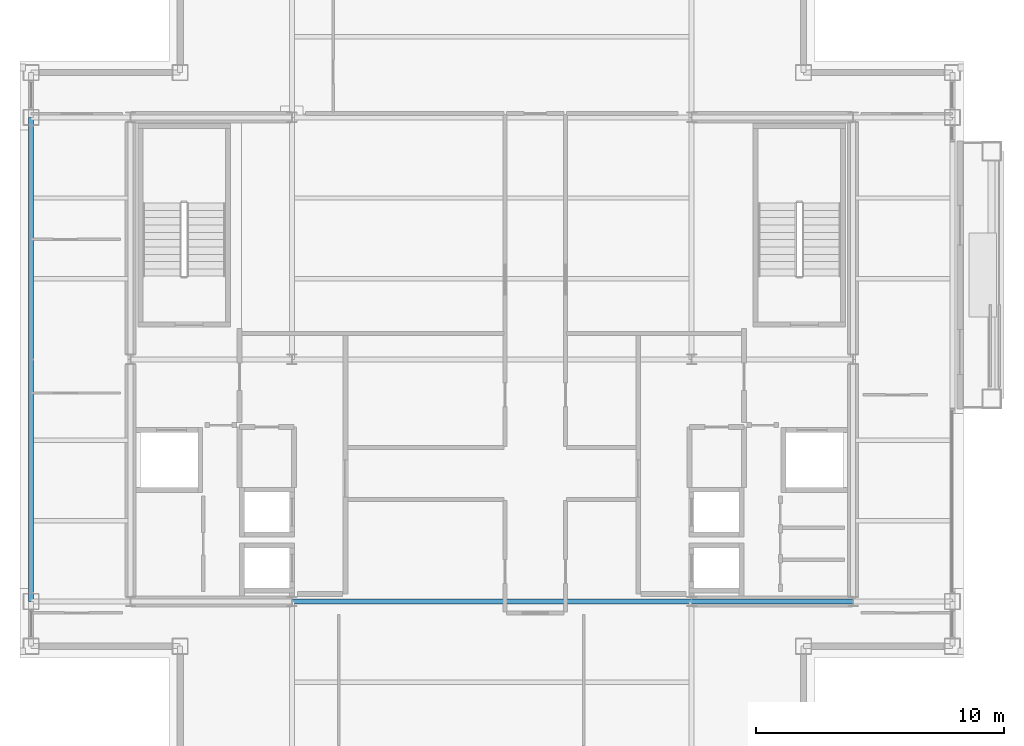
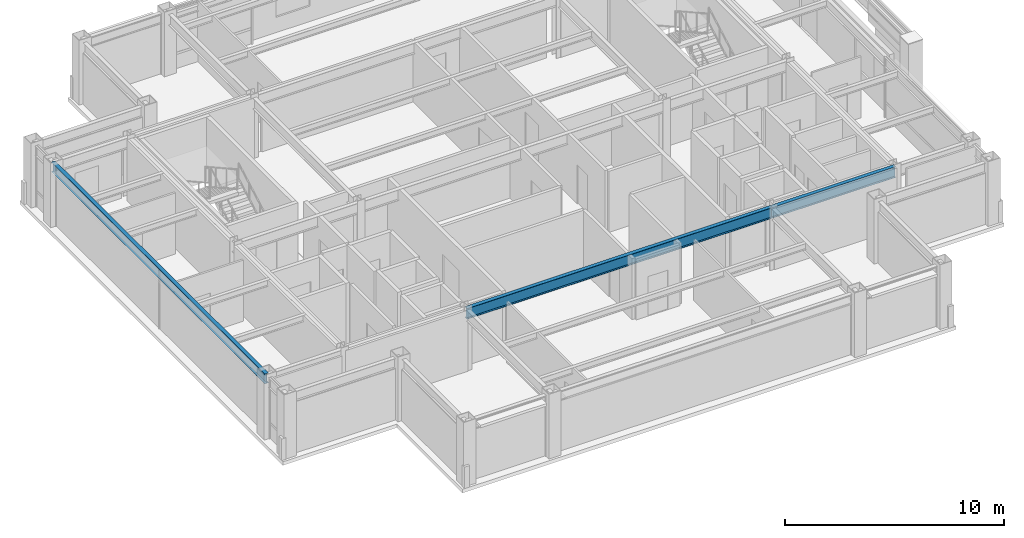
# One storey, part 6 of 24: 3 beams.
"""IFC4 building model written with IfcOpenShell, lengths in metres."""

from ifc_helpers import new_model, si_unit, direction, frame, origin, origin_2d, place, context, subcontext, project, spatial, i_section, extrude, material, material_profile, profile_set, type_object, element, save


model = new_model("IFC4")

# Units and contexts
model_context = context("Model", 3, precision=1e-05, world=origin(), true_north=direction((0.0, 1.0)))
body_context = subcontext(model_context, "Body", "Model", "MODEL_VIEW")
ifc_project = project(units=[si_unit("LENGTHUNIT", "METRE"), si_unit("AREAUNIT", "SQUARE_METRE"), si_unit("VOLUMEUNIT", "CUBIC_METRE"), si_unit("PLANEANGLEUNIT", "RADIAN"), si_unit("MASSUNIT", "GRAM", prefix="KILO")], contexts=[model_context])

# Site, building, storey
site_placement = place(None, origin())
site = spatial("IfcSite", under=ifc_project, at=site_placement, CompositionType="ELEMENT")
building_placement = place(site_placement, origin())
building = spatial("IfcBuilding", under=site, at=building_placement, Name="Brelmoor Portico Tower", CompositionType="ELEMENT")
storey_placement = place(building_placement, frame((0.0, 0.0, 240.0)))
storey = spatial("IfcBuildingStorey", under=building, at=storey_placement, Name="L63", CompositionType="ELEMENT", Elevation=240.0)

# Beams
ifc_material = material(Name="Steel Q355B", Category="steel")
ifc_material_profile_1 = material_profile(ifc_material, i_section(OverallWidth=0.199951171875, OverallDepth=0.60009765625, WebThickness=0.010986328125, FlangeThickness=0.01708984375, at=origin_2d()), Name="HN 600x200x11x17")
ifc_profile_set_1 = profile_set([ifc_material_profile_1], Name="Steel Q355B")
beam_type_1 = type_object("IfcBeamType", Name="BM-PG-600", PredefinedType="BEAM", material=ifc_profile_set_1)
beam_1_placement = place(storey_placement, frame((-8.050048828125, -9.75, 3.10009765625), z_axis=(1.0, 0.0, 0.0), x_axis=(0.0, 1.0, 0.0)))
element("IfcBeam", 1, at=beam_1_placement, inside=storey, type_object=beam_type_1, Name="L63 Primary Floor Girder PG-13", PredefinedType="BEAM", context=body_context, shape_type="SweptSolid", body=[
    extrude(i_section(OverallWidth=0.199951171875, OverallDepth=0.60009765625, WebThickness=0.010986328125, FlangeThickness=0.01708984375, at=origin_2d()), origin(), (0.0, 0.0, 1.0), 16.10009765625),
])
beam_2_placement = place(storey_placement, frame((8.050048828125, -9.75, 3.10009765625), z_axis=(1.0, 0.0, 0.0), x_axis=(0.0, 1.0, 0.0)))
element("IfcBeam", 2, at=beam_2_placement, inside=storey, type_object=beam_type_1, Name="L63 Primary Floor Girder PG-14", PredefinedType="BEAM", context=body_context, shape_type="SweptSolid", body=[
    extrude(i_section(OverallWidth=0.199951171875, OverallDepth=0.60009765625, WebThickness=0.010986328125, FlangeThickness=0.01708984375, at=origin_2d()), origin(), (0.0, 0.0, 1.0), 6.5),
])
ifc_material_profile_2 = material_profile(ifc_material, i_section(OverallWidth=0.199951171875, OverallDepth=0.550048828125, WebThickness=0.010009765625, FlangeThickness=0.01611328125, at=origin_2d()), Name="HN 550x200x10x16")
ifc_profile_set_2 = profile_set([ifc_material_profile_2], Name="Steel Q355B")
beam_type_2 = type_object("IfcBeamType", Name="BM-SP-550", PredefinedType="SPANDREL", material=ifc_profile_set_2)
beam_3_placement = place(storey_placement, frame((-18.550048828125, -9.75, 3.125), z_axis=(0.0, 1.0, 0.0), x_axis=(-1.0, 0.0, 0.0)))
element("IfcBeam", 3, at=beam_3_placement, inside=storey, type_object=beam_type_2, Name="L63 Perimeter Spandrel Beam SP-12", PredefinedType="SPANDREL", context=body_context, shape_type="SweptSolid", body=[
    extrude(i_section(OverallWidth=0.199951171875, OverallDepth=0.550048828125, WebThickness=0.010009765625, FlangeThickness=0.01611328125, at=origin_2d()), origin(), (0.0, 0.0, 1.0), 19.5),
])

save(model, "model.ifc")
